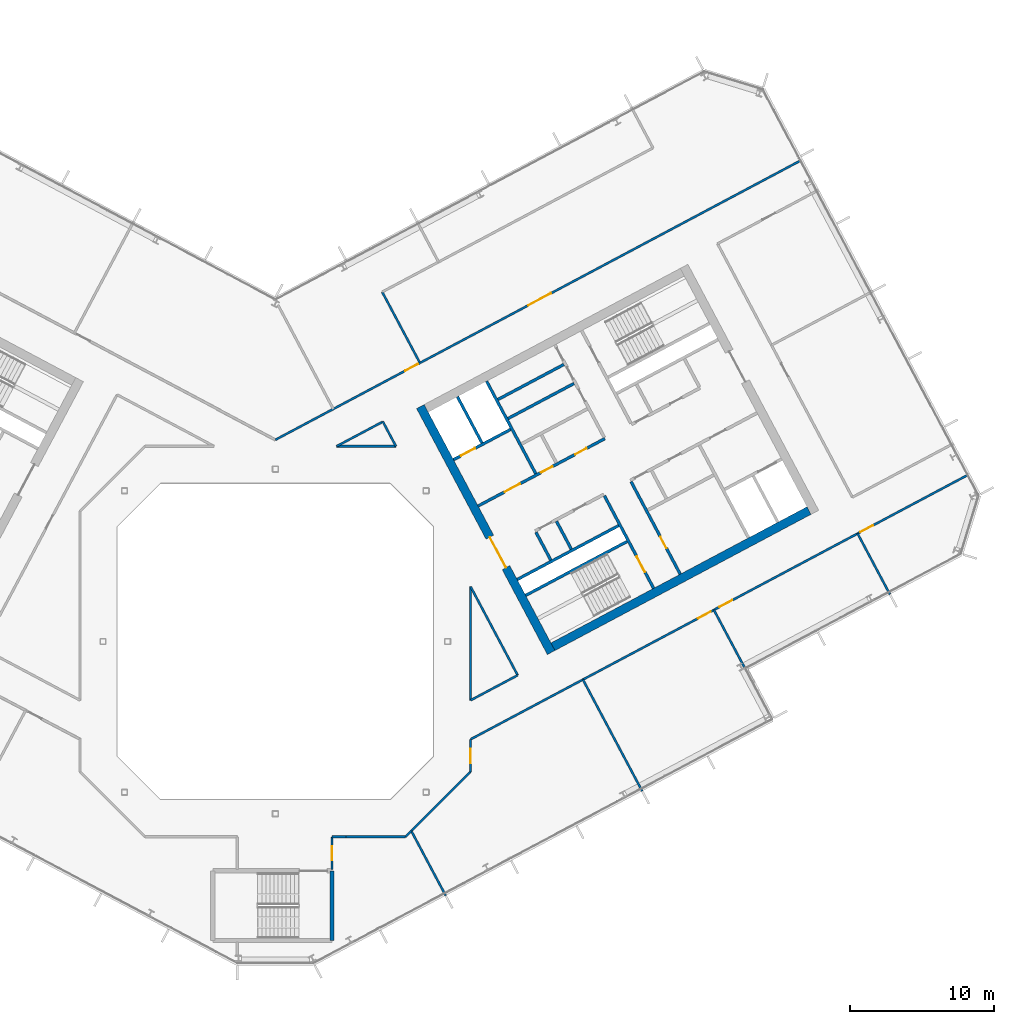
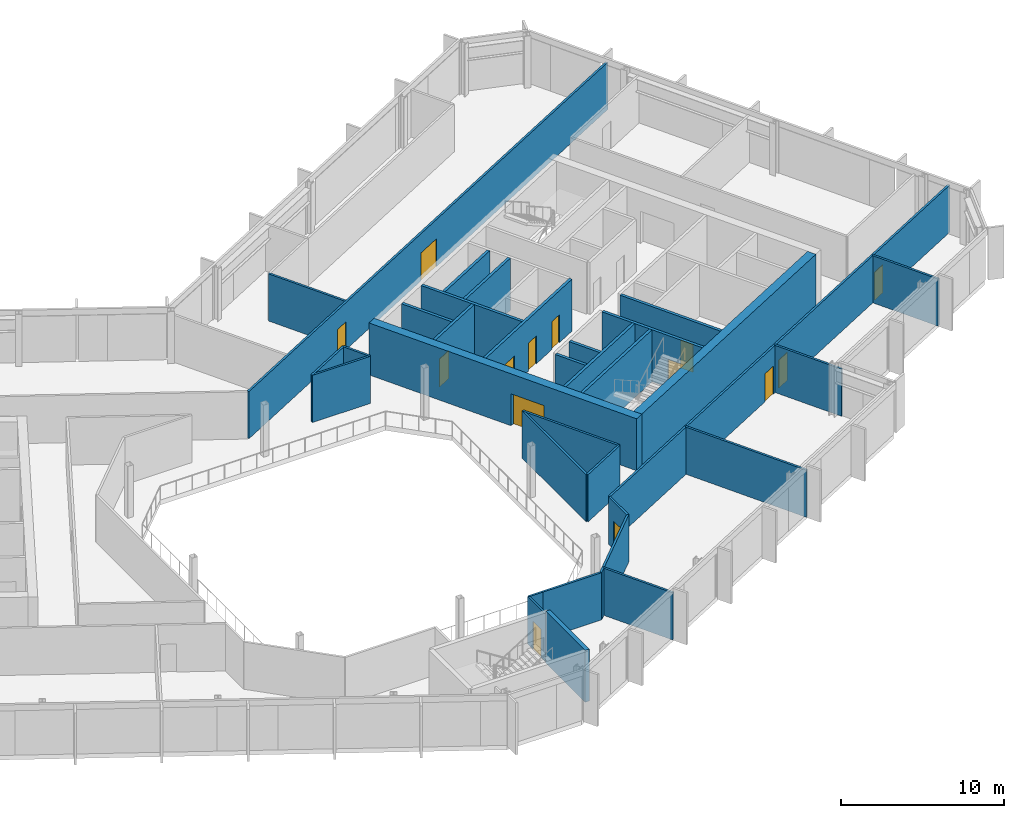
# One storey, part 16 of 27: 34 walls, 14 doors, 14 openings.
"""IFC4 building model written with IfcOpenShell, lengths in metres."""

import ifcopenshell
import ifcopenshell.guid

model = None  # the IFC model being written
_history = None  # IfcOwnerHistory: only IFC2X3 demands one
_inside = {}  # id of a spatial element -> (the spatial element, [elements in it])
_under = {}  # id of a project, library or spatial element -> (it, [spatial elements below it])
_declared = {}  # id of a project -> (the project, [libraries it declares])
_typed = {}  # id of a type object -> (the type object, [elements of that type])
_made_of = {}  # id of a material, layer set ... -> (it, [elements and type objects made of it])


def new_model(schema):
    """Start an empty IFC model of exactly this schema.

    Asked for "IFC4X3", IfcOpenShell would pick the latest addendum, in which some entities
    have other attributes; the version numbers below select the first issue.
    IFC2X3 requires an IfcOwnerHistory on every rooted entity: one is made here for all.
    """
    global model, _history
    if schema == "IFC4X3":
        model = ifcopenshell.file(schema_version=(4, 3, 0, 0))
    else:
        model = ifcopenshell.file(schema=schema)
    _inside.clear()
    _under.clear()
    _declared.clear()
    _typed.clear()
    _made_of.clear()
    _history = None
    if model.schema == "IFC2X3":
        org = make("IfcOrganization", Name="unknown")
        user = make(
            "IfcPersonAndOrganization",
            ThePerson=make("IfcPerson", FamilyName="unknown"),
            TheOrganization=org,
        )
        app = make(
            "IfcApplication",
            ApplicationDeveloper=org,
            Version="unknown",
            ApplicationFullName="unknown",
            ApplicationIdentifier="unknown",
        )
        _history = make(
            "IfcOwnerHistory",
            OwningUser=user,
            OwningApplication=app,
            ChangeAction="ADDED",
            CreationDate=0,
        )
    return model


def make(cls, **values):
    """One entity of the class cls with the attributes given. An attribute that is None is left unset."""
    return model.create_entity(
        cls, **{name: value for name, value in values.items() if value is not None}
    )


def rooted(cls, **values):
    """An entity with a GlobalId (a new one), such as an element, a storey or a relation."""
    return make(cls, GlobalId=ifcopenshell.guid.new(), OwnerHistory=_history, **values)


def si_unit(unit_type, name, prefix=None):
    """IfcSIUnit, for example si_unit("LENGTHUNIT", "METRE", prefix="MILLI")."""
    return make("IfcSIUnit", UnitType=unit_type, Prefix=prefix, Name=name)


def assignment(units):
    """IfcUnitAssignment: the units of a project."""
    return None if units is None else make("IfcUnitAssignment", Units=units)


def point(xyz):
    """IfcCartesianPoint."""
    return None if xyz is None else make("IfcCartesianPoint", Coordinates=xyz)


def direction(xyz):
    """IfcDirection."""
    return None if xyz is None else make("IfcDirection", DirectionRatios=xyz)


def frame(location, z_axis=None, x_axis=None):
    """IfcAxis2Placement3D, a coordinate frame: its origin and axes. An axis left out is left unset."""
    return make(
        "IfcAxis2Placement3D",
        Location=point(location),
        Axis=direction(z_axis),
        RefDirection=direction(x_axis),
    )


def frame_2d(location, x_axis=None):
    """IfcAxis2Placement2D, a coordinate frame in the plane: its origin and x axis."""
    return make(
        "IfcAxis2Placement2D", Location=point(location), RefDirection=direction(x_axis)
    )


def origin():
    """The frame at (0, 0, 0) with its axes left unset."""
    return frame((0.0, 0.0, 0.0))


def place(relative_to, where):
    """IfcLocalPlacement: puts the frame where relative to a parent placement (None: the world)."""
    return make(
        "IfcLocalPlacement", PlacementRelTo=relative_to, RelativePlacement=where
    )


def context(
    kind, dimensions, precision=None, world=None, true_north=None, identifier=None
):
    """IfcGeometricRepresentationContext, for example the 3D "Model" context."""
    return make(
        "IfcGeometricRepresentationContext",
        ContextIdentifier=identifier,
        ContextType=kind,
        CoordinateSpaceDimension=dimensions,
        Precision=precision,
        WorldCoordinateSystem=world,
        TrueNorth=true_north,
    )


def subcontext(parent, identifier, kind, view, scale=None):
    """IfcGeometricRepresentationSubContext, for example "Body" below "Model"."""
    return make(
        "IfcGeometricRepresentationSubContext",
        ContextIdentifier=identifier,
        ContextType=kind,
        ParentContext=parent,
        TargetScale=scale,
        TargetView=view,
    )


def project(units=None, contexts=None):
    """IfcProject with its units and contexts."""
    return rooted(
        "IfcProject",
        Name="project",
        RepresentationContexts=contexts,
        UnitsInContext=assignment(units),
    )


def spatial(cls, under=None, at=None, **own):
    """A site, building, storey or space (cls), placed at a placement, below another one or the project."""
    s = rooted(cls, ObjectPlacement=at, **own)
    if under is not None:
        _under.setdefault(under.id(), (under, []))[1].append(s)
    return s


def profile(cls, at=None, kind="AREA", **sizes):
    """A parametric profile (cls). Its sizes go by their IFC names, for example OverallWidth=200.0."""
    return make(cls, ProfileType=kind, Position=at, **sizes)


def rectangle(**sizes):
    """IfcRectangleProfileDef."""
    return profile("IfcRectangleProfileDef", **sizes)


def extrude(swept, where, along, depth):
    """IfcExtrudedAreaSolid: the profile swept, set in the frame where, extruded along a direction by depth."""
    return make(
        "IfcExtrudedAreaSolid",
        SweptArea=swept,
        Position=where,
        ExtrudedDirection=direction(along),
        Depth=depth,
    )


def shape(context_of_items, identifier, shape_type, items):
    """IfcShapeRepresentation: the items that make up one representation, for example the "Body"."""
    return make(
        "IfcShapeRepresentation",
        ContextOfItems=context_of_items,
        RepresentationIdentifier=identifier,
        RepresentationType=shape_type,
        Items=items,
    )


def material(Name=None, Category=None):
    """IfcMaterial."""
    return make("IfcMaterial", Name=Name, Category=Category)


def layer(
    of_material, thickness, ventilated=None, Name=None, Category=None, Priority=None
):
    """IfcMaterialLayer: one layer of a wall or slab, of a material (None: an air gap)."""
    return make(
        "IfcMaterialLayer",
        Material=of_material,
        LayerThickness=thickness,
        IsVentilated=ventilated,
        Name=Name,
        Category=Category,
        Priority=Priority,
    )


def layer_set(layers, Name=None):
    """IfcMaterialLayerSet."""
    return make("IfcMaterialLayerSet", MaterialLayers=layers, LayerSetName=Name)


def made_of(thing, what):
    """Note that an element or type object is made of a material, layer set ...; save() writes the relation."""
    if what is not None:
        _made_of.setdefault(what.id(), (what, []))[1].append(thing)
    return thing


def type_object(cls, material=None, **own):
    """A type object (cls), such as IfcWallType, which elements share."""
    return made_of(rooted(cls, **own), material)


def element(
    cls,
    number,
    at=None,
    inside=None,
    cuts=None,
    type_object=None,
    material=None,
    context=None,
    identifier="Body",
    shape_type=None,
    held_by="IfcProductDefinitionShape",
    body=None,
    shapes=None,
    **own,
):
    """One element of the class cls, such as IfcWall. Its Tag is "e" and its number.

    at: its placement. inside: the storey or other place that contains it. cuts: it is an
    opening in that element (IfcRelVoidsElement). A single representation is given by context,
    identifier, shape_type and body (its items); several are given by shapes. held_by: the class
    of the entity that holds the representations. save() writes the other relations.
    """
    e = rooted(cls, Tag="e%d" % number, ObjectPlacement=at, **own)
    if body is not None:
        shapes = [shape(context, identifier, shape_type, body)]
    if shapes is not None:
        e.Representation = make(held_by, Representations=shapes)
    if inside is not None:
        _inside.setdefault(inside.id(), (inside, []))[1].append(e)
    if cuts is not None:
        rooted(
            "IfcRelVoidsElement", RelatingBuildingElement=cuts, RelatedOpeningElement=e
        )
    if type_object is not None:
        _typed.setdefault(type_object.id(), (type_object, []))[1].append(e)
    return made_of(e, material)


def fill(opening, filler):
    """IfcRelFillsElement: the door or window that sits in an opening."""
    return rooted(
        "IfcRelFillsElement",
        RelatingOpeningElement=opening,
        RelatedBuildingElement=filler,
    )


def aggregate(whole, parts):
    """IfcRelAggregates: a whole, such as a stair, and the parts it consists of."""
    return rooted("IfcRelAggregates", RelatingObject=whole, RelatedObjects=parts)


def save(model, path):
    """Write the relations noted so far, then the file.

    IfcRelAggregates (storeys below a building ...), IfcRelContainedInSpatialStructure (elements
    in a storey), IfcRelDefinesByType, IfcRelAssociatesMaterial and IfcRelDeclares: one each for
    every whole, place, type object, material and project.
    """
    for whole, parts in _under.values():
        aggregate(whole, parts)
    for where, things in _inside.values():
        rooted(
            "IfcRelContainedInSpatialStructure",
            RelatedElements=things,
            RelatingStructure=where,
        )
    for kind, things in _typed.values():
        rooted("IfcRelDefinesByType", RelatedObjects=things, RelatingType=kind)
    for what, things in _made_of.values():
        rooted("IfcRelAssociatesMaterial", RelatedObjects=things, RelatingMaterial=what)
    for by, libraries in _declared.values():
        rooted("IfcRelDeclares", RelatingContext=by, RelatedDefinitions=libraries)
    model.write(path)


model = new_model("IFC4")

# Units and contexts
model_context = context("Model", 3, precision=1e-05, world=origin(), true_north=direction((0.0, 1.0)))
body_context = subcontext(model_context, "Body", "Model", "MODEL_VIEW")
ifc_project = project(units=[si_unit("LENGTHUNIT", "METRE"), si_unit("AREAUNIT", "SQUARE_METRE"), si_unit("VOLUMEUNIT", "CUBIC_METRE"), si_unit("PLANEANGLEUNIT", "RADIAN"), si_unit("MASSUNIT", "GRAM", prefix="KILO")], contexts=[model_context])

# Site, building, storey
site_placement = place(None, origin())
site = spatial("IfcSite", under=ifc_project, at=site_placement, CompositionType="ELEMENT")
building_placement = place(site_placement, origin())
building = spatial("IfcBuilding", under=site, at=building_placement, Name="Cormorant Relay Tower", CompositionType="ELEMENT")
storey_placement = place(building_placement, frame((0.0, 0.0, 240.300048828125)))
storey = spatial("IfcBuildingStorey", under=building, at=storey_placement, Name="L53", CompositionType="ELEMENT", Elevation=240.300048828125)

# Walls
ifc_material_1 = material(Name="Concrete 40 MPa", Category="concrete")
ifc_layer_1 = layer(ifc_material_1, 0.199951171875)
ifc_layer_set_1 = layer_set([ifc_layer_1], Name="Core internal wall 200")
wall_type_1 = type_object("IfcWallType", Name="Core internal wall 200", PredefinedType="SOLIDWALL", material=ifc_layer_set_1)
wall_1_placement = place(storey_placement, frame((20.614013671875, 6.430419921875, 0.0), z_axis=(0.0, 0.0, 1.0), x_axis=(-0.4694473164, 0.882960484464, 0.0)))
element("IfcWall", 1, at=wall_1_placement, inside=storey, type_object=wall_type_1, Name="L53 core B shaft and room wall", PredefinedType="SOLIDWALL", context=body_context, shape_type="SweptSolid", body=[
    extrude(rectangle(XDim=2.199951171875, YDim=0.199951171875, at=frame_2d((1.10009765625, 0.0))), origin(), (0.0, 0.0, 1.0), 3.89990234375),
])
for number, where, z_axis, x_axis, name in (
    (2, (16.2080078125, 15.526611328125, 0.0), (0.0, 0.0, 1.0), (0.882953967957, 0.469459572775, 0.0), "L53 core B shaft and room wall"),
    (3, (15.503662109375, 16.85107421875, 0.0), (0.0, 0.0, 1.0), (0.882953967957, 0.469459572775, 0.0), "L53 core B shaft and room wall"),
):
    element("IfcWall", number, at=place(storey_placement, frame(where, z_axis=z_axis, x_axis=x_axis)), inside=storey, type_object=wall_type_1, Name=name, PredefinedType="SOLIDWALL", context=body_context, shape_type="SweptSolid", body=[
        extrude(rectangle(XDim=5.199951171875, YDim=0.199951171875, at=frame_2d((2.60009765625, 0.0))), origin(), (0.0, 0.0, 1.0), 3.89990234375),
    ])
ifc_material_2 = material(Name="Concrete 50 MPa", Category="concrete")
ifc_layer_2 = layer(ifc_material_2, 0.199951171875)
ifc_layer_set_2 = layer_set([ifc_layer_2], Name="Core shaft wall 200")
wall_type_2 = type_object("IfcWallType", Name="Core shaft wall 200", PredefinedType="SHEAR", material=ifc_layer_set_2)
wall_2_placement = place(storey_placement, frame((14.39404296875, 13.825927734375, 0.0), z_axis=(0.0, 0.0, 1.0), x_axis=(-0.469494272526, 0.882935517501, 0.0)))
element("IfcWall", 4, at=wall_2_placement, inside=storey, type_object=wall_type_2, Name="L53 core B shaft wall", PredefinedType="SHEAR", context=body_context, shape_type="SweptSolid", body=[
    extrude(rectangle(XDim=3.64990234375, YDim=0.199951171875, at=frame_2d((1.824951171875, 0.0))), origin(), (0.0, 0.0, 1.0), 3.89990234375),
])
wall_3_placement = place(storey_placement, frame((19.18359375, 5.669921875, 0.0), z_axis=(0.0, 0.0, 1.0), x_axis=(-0.4694473164, 0.882960484464, 0.0)))
element("IfcWall", 5, at=wall_3_placement, inside=storey, type_object=wall_type_2, Name="L53 core B shaft wall", PredefinedType="SHEAR", context=body_context, shape_type="SweptSolid", body=[
    extrude(rectangle(XDim=2.199951171875, YDim=0.199951171875, at=frame_2d((1.10009765625, 0.0))), origin(), (0.0, 0.0, 1.0), 3.89990234375),
])
wall_4_placement = place(storey_placement, frame((18.138427734375, 11.682861328125, 0.0), z_axis=(0.0, 0.0, 1.0), x_axis=(-0.469480409012, 0.88294288918, 0.0)))
element("IfcWall", 6, at=wall_4_placement, inside=storey, type_object=wall_type_2, Name="L53 core B shaft wall", PredefinedType="SHEAR", context=body_context, shape_type="SweptSolid", body=[
    extrude(rectangle(XDim=7.300048828125, YDim=0.199951171875, at=frame_2d((3.64990234375, 0.0))), origin(), (0.0, 0.0, 1.0), 3.89990234375),
])

# Wall, opening, door
wall_5_placement = place(storey_placement, frame((26.345947265625, 3.701904296875, 0.0), z_axis=(0.0, 0.0, 1.0), x_axis=(-0.469480409012, 0.88294288918, 0.0)))
wall_5 = element("IfcWall", 7, at=wall_5_placement, inside=storey, type_object=wall_type_2, Name="L53 core B shaft wall", PredefinedType="SHEAR", context=body_context, shape_type="SweptSolid", body=[
    extrude(rectangle(XDim=7.300048828125, YDim=0.199951171875, at=frame_2d((3.64990234375, 0.0))), origin(), (0.0, 0.0, 1.0), 3.89990234375),
])
opening_1_placement = place(wall_5_placement, frame((1.300048828125, 0.0, 0.0)))
opening_1 = element("IfcOpeningElement", 8, at=opening_1_placement, cuts=wall_5, Name="Opening CDB-040", PredefinedType="OPENING", context=body_context, shape_type="SweptSolid", body=[
    extrude(rectangle(XDim=1.199951171875, YDim=2.10009765625, at=frame_2d((0.60009765625, 1.050048828125))), frame((0.0, 0.10986328125, 0.0), z_axis=(0.0, -1.0, 0.0), x_axis=(1.0, 0.0, 0.0)), (0.0, 0.0, 1.0), 0.219970703125),
])
ifc_material_3 = material(Name="Steel fire door", Category="steel")
door_type_1 = type_object("IfcDoorType", Name="Core stair door 1200x2100", OperationType="SINGLE_SWING_LEFT", PredefinedType="DOOR", material=ifc_material_3)
door_1_placement = place(opening_1_placement, origin())
door_1 = element("IfcDoor", 9, at=door_1_placement, inside=storey, type_object=door_type_1, Name="Core stair door 1200x2100", OperationType="SINGLE_SWING_RIGHT", OverallHeight=2.10009765625, OverallWidth=1.199951171875, PredefinedType="DOOR", context=body_context, shape_type="SweptSolid", body=[
    extrude(rectangle(XDim=1.199951171875, YDim=2.10009765625, at=frame_2d((0.60009765625, 1.050048828125))), frame((0.0, 0.02490234375, 0.0), z_axis=(0.0, -1.0, 0.0), x_axis=(1.0, 0.0, 0.0)), (0.0, 0.0, 1.0), 0.050048828125),
])
fill(opening_1, door_1)

wall_6_placement = place(storey_placement, frame((28.199951171875, 4.687744140625, 0.0), z_axis=(0.0, 0.0, 1.0), x_axis=(-0.469454336211, 0.882956752176, 0.0)))
wall_6 = element("IfcWall", 10, at=wall_6_placement, inside=storey, type_object=wall_type_2, Name="L53 core B shaft wall", PredefinedType="SHEAR", context=body_context, shape_type="SweptSolid", body=[
    extrude(rectangle(XDim=7.300048828125, YDim=0.199951171875, at=frame_2d((3.64990234375, 0.0))), origin(), (0.0, 0.0, 1.0), 3.89990234375),
])
opening_2_placement = place(wall_6_placement, frame((2.050048828125, 0.0, 0.0)))
opening_2 = element("IfcOpeningElement", 11, at=opening_2_placement, cuts=wall_6, Name="Opening CDD-302", PredefinedType="OPENING", context=body_context, shape_type="SweptSolid", body=[
    extrude(rectangle(XDim=0.89990234375, YDim=2.10009765625, at=frame_2d((0.449951171875, 1.050048828125))), frame((0.0, 0.10986328125, 0.0), z_axis=(0.0, -1.0, 0.0), x_axis=(1.0, 0.0, 0.0)), (0.0, 0.0, 1.0), 0.219970703125),
])
ifc_material_4 = material(Name="Steel fire door", Category="steel")
door_type_2 = type_object("IfcDoorType", Name="Core room door 900x2100", OperationType="SINGLE_SWING_LEFT", PredefinedType="DOOR", material=ifc_material_4)
door_2_placement = place(opening_2_placement, origin())
door_2 = element("IfcDoor", 12, at=door_2_placement, inside=storey, type_object=door_type_2, Name="Core room door 900x2100", OperationType="SINGLE_SWING_RIGHT", OverallHeight=2.10009765625, OverallWidth=0.89990234375, PredefinedType="DOOR", context=body_context, shape_type="SweptSolid", body=[
    extrude(rectangle(XDim=0.89990234375, YDim=2.10009765625, at=frame_2d((0.449951171875, 1.050048828125))), frame((0.0, 0.02490234375, 0.0), z_axis=(0.0, -1.0, 0.0), x_axis=(1.0, 0.0, 0.0)), (0.0, 0.0, 1.0), 0.050048828125),
])
fill(opening_2, door_2)

# Walls
for number, where, z_axis, x_axis, name in (
    (13, (17.43359375, 3.210205078125, 0.0), (0.0, 0.0, 1.0), (0.882940221191, 0.469485426614, 0.0), "L53 core B shaft wall"),
    (14, (16.8466796875, 4.31396484375, 0.0), (0.0, 0.0, 1.0), (0.882940221191, 0.469485426614, 0.0), "L53 core B shaft wall"),
):
    element("IfcWall", number, at=place(storey_placement, frame(where, z_axis=z_axis, x_axis=x_axis)), inside=storey, type_object=wall_type_2, Name=name, PredefinedType="SHEAR", context=body_context, shape_type="SweptSolid", body=[
        extrude(rectangle(XDim=8.0, YDim=0.199951171875, at=frame_2d((4.0, 0.0))), origin(), (0.0, 0.0, 1.0), 3.89990234375),
    ])

# Wall, openings, doors
wall_7_placement = place(storey_placement, frame((14.123779296875, 9.43505859375, 0.0), z_axis=(0.0, 0.0, 1.0), x_axis=(0.882940221191, 0.469485426614, 0.0)))
wall_7 = element("IfcWall", 15, at=wall_7_placement, inside=storey, type_object=wall_type_2, Name="L53 core B shaft wall", PredefinedType="SHEAR", context=body_context, shape_type="SweptSolid", body=[
    extrude(rectangle(XDim=10.0, YDim=0.199951171875, at=frame_2d((5.0, 0.0))), origin(), (0.0, 0.0, 1.0), 3.89990234375),
])
opening_3_placement = place(wall_7_placement, frame((2.10009765625, 0.0, 0.0)))
opening_3 = element("IfcOpeningElement", 16, at=opening_3_placement, cuts=wall_7, Name="Opening CDC-037", PredefinedType="OPENING", context=body_context, shape_type="SweptSolid", body=[
    extrude(rectangle(XDim=1.199951171875, YDim=2.10009765625, at=frame_2d((0.60009765625, 1.050048828125))), frame((0.0, 0.10986328125, 0.0), z_axis=(0.0, -1.0, 0.0), x_axis=(1.0, 0.0, 0.0)), (0.0, 0.0, 1.0), 0.219970703125),
])
opening_4_placement = place(wall_7_placement, frame((4.9599609375, 0.0, 0.0)))
opening_4 = element("IfcOpeningElement", 17, at=opening_4_placement, cuts=wall_7, Name="Opening CDD-293", PredefinedType="OPENING", context=body_context, shape_type="SweptSolid", body=[
    extrude(rectangle(XDim=0.89990234375, YDim=2.10009765625, at=frame_2d((0.449951171875, 1.050048828125))), frame((0.0, 0.10986328125, 0.0), z_axis=(0.0, -1.0, 0.0), x_axis=(1.0, 0.0, 0.0)), (0.0, 0.0, 1.0), 0.219970703125),
])
opening_5_placement = place(wall_7_placement, frame((7.659912109375, 0.0, 0.0)))
opening_5 = element("IfcOpeningElement", 18, at=opening_5_placement, cuts=wall_7, Name="Opening CDD-272", PredefinedType="OPENING", context=body_context, shape_type="SweptSolid", body=[
    extrude(rectangle(XDim=0.89990234375, YDim=2.10009765625, at=frame_2d((0.449951171875, 1.050048828125))), frame((0.0, 0.10986328125, 0.0), z_axis=(0.0, -1.0, 0.0), x_axis=(1.0, 0.0, 0.0)), (0.0, 0.0, 1.0), 0.219970703125),
])
ifc_material_5 = material(Name="Steel fire door", Category="steel")
door_type_3 = type_object("IfcDoorType", Name="Core lobby door 1200x2100", OperationType="SINGLE_SWING_LEFT", PredefinedType="DOOR", material=ifc_material_5)
door_3_placement = place(opening_3_placement, origin())
door_3 = element("IfcDoor", 19, at=door_3_placement, inside=storey, type_object=door_type_3, Name="Core lobby door 1200x2100", OperationType="SINGLE_SWING_RIGHT", OverallHeight=2.10009765625, OverallWidth=1.199951171875, PredefinedType="DOOR", context=body_context, shape_type="SweptSolid", body=[
    extrude(rectangle(XDim=1.199951171875, YDim=2.10009765625, at=frame_2d((0.60009765625, 1.050048828125))), frame((0.0, 0.02490234375, 0.0), z_axis=(0.0, -1.0, 0.0), x_axis=(1.0, 0.0, 0.0)), (0.0, 0.0, 1.0), 0.050048828125),
])
fill(opening_3, door_3)
door_4_placement = place(opening_4_placement, origin())
door_4 = element("IfcDoor", 20, at=door_4_placement, inside=storey, type_object=door_type_2, Name="Core room door 900x2100", OperationType="SINGLE_SWING_LEFT", OverallHeight=2.10009765625, OverallWidth=0.89990234375, PredefinedType="DOOR", context=body_context, shape_type="SweptSolid", body=[
    extrude(rectangle(XDim=0.89990234375, YDim=2.10009765625, at=frame_2d((0.449951171875, 1.050048828125))), frame((0.0, 0.02490234375, 0.0), z_axis=(0.0, -1.0, 0.0), x_axis=(1.0, 0.0, 0.0)), (0.0, 0.0, 1.0), 0.050048828125),
])
fill(opening_4, door_4)
door_5_placement = place(opening_5_placement, origin())
door_5 = element("IfcDoor", 21, at=door_5_placement, inside=storey, type_object=door_type_2, Name="Core room door 900x2100", OperationType="SINGLE_SWING_LEFT", OverallHeight=2.10009765625, OverallWidth=0.89990234375, PredefinedType="DOOR", context=body_context, shape_type="SweptSolid", body=[
    extrude(rectangle(XDim=0.89990234375, YDim=2.10009765625, at=frame_2d((0.449951171875, 1.050048828125))), frame((0.0, 0.02490234375, 0.0), z_axis=(0.0, -1.0, 0.0), x_axis=(1.0, 0.0, 0.0)), (0.0, 0.0, 1.0), 0.050048828125),
])
fill(opening_5, door_5)

# Wall, opening, door
wall_8_placement = place(storey_placement, frame((12.41015625, 12.657958984375, 0.0), z_axis=(0.0, 0.0, 1.0), x_axis=(0.8829484765, 0.469469900894, 0.0)))
wall_8 = element("IfcWall", 22, at=wall_8_placement, inside=storey, type_object=wall_type_2, Name="L53 core B shaft wall", PredefinedType="SHEAR", context=body_context, shape_type="SweptSolid", body=[
    extrude(rectangle(XDim=4.499755859375, YDim=0.199951171875, at=frame_2d((2.25, 0.0))), origin(), (0.0, 0.0, 1.0), 3.89990234375),
])
opening_6_placement = place(wall_8_placement, frame((0.60009765625, 0.0, 0.0)))
opening_6 = element("IfcOpeningElement", 23, at=opening_6_placement, cuts=wall_8, Name="Opening LD1-064", PredefinedType="OPENING", context=body_context, shape_type="SweptSolid", body=[
    extrude(rectangle(XDim=1.10009765625, YDim=2.10009765625, at=frame_2d((0.550048828125, 1.050048828125))), frame((0.0, 0.10986328125, 0.0), z_axis=(0.0, -1.0, 0.0), x_axis=(1.0, 0.0, 0.0)), (0.0, 0.0, 1.0), 0.219970703125),
])
ifc_material_6 = material(Name="Stainless steel 316", Category="steel")
door_type_4 = type_object("IfcDoorType", Name="Lift landing door 1100x2100", OperationType="DOUBLE_DOOR_SLIDING", PredefinedType="DOOR", material=ifc_material_6)
door_6_placement = place(opening_6_placement, origin())
door_6 = element("IfcDoor", 24, at=door_6_placement, inside=storey, type_object=door_type_4, Name="FF2 landing door", OperationType="DOUBLE_DOOR_SLIDING", OverallHeight=2.10009765625, OverallWidth=1.10009765625, PredefinedType="DOOR", context=body_context, shape_type="SweptSolid", body=[
    extrude(rectangle(XDim=1.10009765625, YDim=2.10009765625, at=frame_2d((0.550048828125, 1.050048828125))), frame((0.0, 0.02490234375, 0.0), z_axis=(0.0, -1.0, 0.0), x_axis=(1.0, 0.0, 0.0)), (0.0, 0.0, 1.0), 0.050048828125),
])
fill(opening_6, door_6)

ifc_material_7 = material(Name="Concrete 50 MPa", Category="concrete")
ifc_layer_3 = layer(ifc_material_7, 0.60009765625)
ifc_layer_set_3 = layer_set([ifc_layer_3], Name="Core wall 600")
wall_type_3 = type_object("IfcWallType", Name="Core wall 600", PredefinedType="SHEAR", material=ifc_layer_set_3)
wall_9_placement = place(storey_placement, frame((19.210693359375, -0.771484375, 0.0), z_axis=(0.0, 0.0, 1.0), x_axis=(-0.469463742137, 0.882951751127, 0.0)))
wall_9 = element("IfcWall", 25, at=wall_9_placement, inside=storey, type_object=wall_type_3, Name="L53 core B wall", PredefinedType="SHEAR", context=body_context, shape_type="SweptSolid", body=[
    extrude(rectangle(XDim=19.400146484375, YDim=0.60009765625, at=frame_2d((9.7001953125, 0.0))), origin(), (0.0, 0.0, 1.0), 3.89990234375),
])
opening_7_placement = place(wall_9_placement, frame((6.699951171875, 0.0, 0.0)))
opening_7 = element("IfcOpeningElement", 26, at=opening_7_placement, cuts=wall_9, Name="Opening CDA-044", PredefinedType="OPENING", context=body_context, shape_type="SweptSolid", body=[
    extrude(rectangle(XDim=2.39990234375, YDim=2.39990234375, at=frame_2d((1.199951171875, 1.199951171875))), frame((0.0, 0.31005859375, 0.0), z_axis=(0.0, -1.0, 0.0), x_axis=(1.0, 0.0, 0.0)), (0.0, 0.0, 1.0), 0.6201171875),
])
ifc_material_8 = material(Name="Steel fire door", Category="steel")
door_type_5 = type_object("IfcDoorType", Name="Core lobby door 2400x2400", OperationType="DOUBLE_DOOR_SINGLE_SWING", PredefinedType="DOOR", material=ifc_material_8)
door_7_placement = place(opening_7_placement, origin())
door_7 = element("IfcDoor", 27, at=door_7_placement, inside=storey, type_object=door_type_5, Name="Core lobby door 2400x2400", OperationType="DOUBLE_DOOR_SINGLE_SWING", OverallHeight=2.39990234375, OverallWidth=2.39990234375, PredefinedType="DOOR", context=body_context, shape_type="SweptSolid", body=[
    extrude(rectangle(XDim=2.39990234375, YDim=2.39990234375, at=frame_2d((1.199951171875, 1.199951171875))), frame((0.0, 0.02490234375, 0.0), z_axis=(0.0, -1.0, 0.0), x_axis=(1.0, 0.0, 0.0)), (0.0, 0.0, 1.0), 0.050048828125),
])
fill(opening_7, door_7)

# Wall
wall_10_placement = place(storey_placement, frame((19.3349609375, -0.36572265625, 0.0), z_axis=(0.0, 0.0, 1.0), x_axis=(0.88294509198, 0.469476266226, 0.0)))
element("IfcWall", 28, at=wall_10_placement, inside=storey, type_object=wall_type_3, Name="L53 core B wall", PredefinedType="SHEAR", context=body_context, shape_type="SweptSolid", body=[
    extrude(rectangle(XDim=20.199951171875, YDim=0.60009765625, at=frame_2d((10.10009765625, 0.0))), origin(), (0.0, 0.0, 1.0), 3.89990234375),
])

# Wall, openings, doors
ifc_material_9 = material(Name="Gypsum board fire partition")
ifc_layer_4 = layer(ifc_material_9, 0.14990234375)
ifc_layer_set_4 = layer_set([ifc_layer_4], Name="Corridor partition 150 EI 60")
wall_type_4 = type_object("IfcWallType", Name="Corridor partition 150 EI 60", PredefinedType="PARTITIONING", material=ifc_layer_set_4)
wall_11_placement = place(storey_placement, frame((0.0, 14.0439453125, 0.0), z_axis=(0.0, 0.0, 1.0), x_axis=(0.882962129795, 0.469444221764, 0.0)))
wall_11 = element("IfcWall", 29, at=wall_11_placement, inside=storey, type_object=wall_type_4, Name="wall/L53/part/011", PredefinedType="PARTITIONING", context=body_context, shape_type="SweptSolid", body=[
    extrude(rectangle(XDim=41.606689453125, YDim=0.14990234375, at=frame_2d((20.80322265625, 0.0))), origin(), (0.0, 0.0, 1.0), 3.5400390625),
])
opening_8_placement = place(wall_11_placement, frame((19.949951171875, 0.0, 0.0)))
opening_8 = element("IfcOpeningElement", 30, at=opening_8_placement, cuts=wall_11, Name="Opening DD-023", PredefinedType="OPENING", context=body_context, shape_type="SweptSolid", body=[
    extrude(rectangle(XDim=1.800048828125, YDim=2.10009765625, at=frame_2d((0.89990234375, 1.050048828125))), frame((0.0, 0.0849609375, 0.0), z_axis=(0.0, -1.0, 0.0), x_axis=(1.0, 0.0, 0.0)), (0.0, 0.0, 1.0), 0.169921875),
])
opening_9_placement = place(wall_11_placement, frame((10.25, 0.0, 0.0)))
opening_9 = element("IfcOpeningElement", 31, at=opening_9_placement, cuts=wall_11, Name="Opening DS-118", PredefinedType="OPENING", context=body_context, shape_type="SweptSolid", body=[
    extrude(rectangle(XDim=1.0, YDim=2.10009765625, at=frame_2d((0.5, 1.050048828125))), frame((0.0, 0.0849609375, 0.0), z_axis=(0.0, -1.0, 0.0), x_axis=(1.0, 0.0, 0.0)), (0.0, 0.0, 1.0), 0.169921875),
])
ifc_material_10 = material(Name="Timber door leaf", Category="wood")
door_type_6 = type_object("IfcDoorType", Name="Suite door 1000x2100", OperationType="SINGLE_SWING_LEFT", PredefinedType="DOOR", material=ifc_material_10)
door_8_placement = place(opening_9_placement, origin())
door_8 = element("IfcDoor", 32, at=door_8_placement, inside=storey, type_object=door_type_6, Name="door/L53/014", OperationType="SINGLE_SWING_RIGHT", OverallHeight=2.10009765625, OverallWidth=1.0, PredefinedType="DOOR", context=body_context, shape_type="SweptSolid", body=[
    extrude(rectangle(XDim=1.0, YDim=2.10009765625, at=frame_2d((0.5, 1.050048828125))), frame((0.0, 0.02490234375, 0.0), z_axis=(0.0, -1.0, 0.0), x_axis=(1.0, 0.0, 0.0)), (0.0, 0.0, 1.0), 0.050048828125),
])
fill(opening_9, door_8)
ifc_material_11 = material(Name="Timber door leaf", Category="wood")
door_type_7 = type_object("IfcDoorType", Name="Suite double door 1800x2100", OperationType="DOUBLE_DOOR_SINGLE_SWING", PredefinedType="DOOR", material=ifc_material_11)
door_9_placement = place(opening_8_placement, origin())
door_9 = element("IfcDoor", 33, at=door_9_placement, inside=storey, type_object=door_type_7, Name="door/L53/013", OperationType="DOUBLE_DOOR_SINGLE_SWING", OverallHeight=2.10009765625, OverallWidth=1.800048828125, PredefinedType="DOOR", context=body_context, shape_type="SweptSolid", body=[
    extrude(rectangle(XDim=1.800048828125, YDim=2.10009765625, at=frame_2d((0.89990234375, 1.050048828125))), frame((0.0, 0.02490234375, 0.0), z_axis=(0.0, -1.0, 0.0), x_axis=(1.0, 0.0, 0.0)), (0.0, 0.0, 1.0), 0.050048828125),
])
fill(opening_8, door_9)

# Wall
wall_12_placement = place(storey_placement, frame((4.93798828125, -13.60009765625, 0.0), z_axis=(0.0, 0.0, 1.0), x_axis=(-1.0, 0.0, 0.0)))
element("IfcWall", 34, at=wall_12_placement, inside=storey, type_object=wall_type_4, Name="wall/L53/part/025", PredefinedType="PARTITIONING", context=body_context, shape_type="SweptSolid", body=[
    extrude(rectangle(XDim=0.988037109375, YDim=0.14990234375, at=frame_2d((0.494140625, 0.0))), origin(), (0.0, 0.0, 1.0), 3.5400390625),
])

# Wall, opening, door
wall_13_placement = place(storey_placement, frame((3.949951171875, -13.60009765625, 0.0), z_axis=(0.0, 0.0, 1.0), x_axis=(0.0, -1.0, 0.0)))
wall_13 = element("IfcWall", 35, at=wall_13_placement, inside=storey, type_object=wall_type_4, Name="wall/L53/part/026", PredefinedType="PARTITIONING", context=body_context, shape_type="SweptSolid", body=[
    extrude(rectangle(XDim=2.27490234375, YDim=0.14990234375, at=frame_2d((1.137451171875, 0.0))), origin(), (0.0, 0.0, 1.0), 3.5400390625),
])
opening_10_placement = place(wall_13_placement, frame((0.64990234375, 0.0, 0.0)))
opening_10 = element("IfcOpeningElement", 36, at=opening_10_placement, cuts=wall_13, Name="Opening DS-138", PredefinedType="OPENING", context=body_context, shape_type="SweptSolid", body=[
    extrude(rectangle(XDim=1.0, YDim=2.10009765625, at=frame_2d((0.5, 1.050048828125))), frame((0.0, 0.0849609375, 0.0), z_axis=(0.0, -1.0, 0.0), x_axis=(1.0, 0.0, 0.0)), (0.0, 0.0, 1.0), 0.169921875),
])
door_10_placement = place(opening_10_placement, origin())
door_10 = element("IfcDoor", 37, at=door_10_placement, inside=storey, type_object=door_type_6, Name="door/L53/001", OperationType="SINGLE_SWING_LEFT", OverallHeight=2.10009765625, OverallWidth=1.0, PredefinedType="DOOR", context=body_context, shape_type="SweptSolid", body=[
    extrude(rectangle(XDim=1.0, YDim=2.10009765625, at=frame_2d((0.5, 1.050048828125))), frame((0.0, 0.02490234375, 0.0), z_axis=(0.0, -1.0, 0.0), x_axis=(1.0, 0.0, 0.0)), (0.0, 0.0, 1.0), 0.050048828125),
])
fill(opening_10, door_10)

# Walls
wall_14_placement = place(storey_placement, frame((9.472900390625, -13.2041015625, 0.0), z_axis=(0.0, 0.0, 1.0), x_axis=(-0.707106781187, -0.707106781187, 0.0)))
element("IfcWall", 38, at=wall_14_placement, inside=storey, type_object=wall_type_4, Name="wall/L53/part/027", PredefinedType="PARTITIONING", context=body_context, shape_type="SweptSolid", body=[
    extrude(rectangle(XDim=0.56005859375, YDim=0.14990234375, at=frame_2d((0.280029296875, 0.0))), origin(), (0.0, 0.0, 1.0), 3.5400390625),
])
wall_15_placement = place(storey_placement, frame((9.076904296875, -13.60009765625, 0.0), z_axis=(0.0, 0.0, 1.0), x_axis=(-1.0, 0.0, 0.0)))
element("IfcWall", 39, at=wall_15_placement, inside=storey, type_object=wall_type_4, Name="wall/L53/part/028", PredefinedType="PARTITIONING", context=body_context, shape_type="SweptSolid", body=[
    extrude(rectangle(XDim=4.138916015625, YDim=0.14990234375, at=frame_2d((2.0693359375, 0.0))), origin(), (0.0, 0.0, 1.0), 3.5400390625),
])

# Wall, opening, door
wall_16_placement = place(storey_placement, frame((13.60009765625, -6.827880859375, 0.0), z_axis=(0.0, 0.0, 1.0), x_axis=(0.0, -1.0, 0.0)))
wall_16 = element("IfcWall", 40, at=wall_16_placement, inside=storey, type_object=wall_type_4, Name="wall/L53/part/030", PredefinedType="PARTITIONING", context=body_context, shape_type="SweptSolid", body=[
    extrude(rectangle(XDim=2.2490234375, YDim=0.14990234375, at=frame_2d((1.12451171875, 0.0))), origin(), (0.0, 0.0, 1.0), 3.5400390625),
])
opening_11_placement = place(wall_16_placement, frame((0.64990234375, 0.0, 0.0)))
opening_11 = element("IfcOpeningElement", 41, at=opening_11_placement, cuts=wall_16, Name="Opening DS-165", PredefinedType="OPENING", context=body_context, shape_type="SweptSolid", body=[
    extrude(rectangle(XDim=1.0, YDim=2.10009765625, at=frame_2d((0.5, 1.050048828125))), frame((0.0, 0.0849609375, 0.0), z_axis=(0.0, -1.0, 0.0), x_axis=(1.0, 0.0, 0.0)), (0.0, 0.0, 1.0), 0.169921875),
])
door_11_placement = place(opening_11_placement, origin())
door_11 = element("IfcDoor", 42, at=door_11_placement, inside=storey, type_object=door_type_6, Name="door/L53/002", OperationType="SINGLE_SWING_LEFT", OverallHeight=2.10009765625, OverallWidth=1.0, PredefinedType="DOOR", context=body_context, shape_type="SweptSolid", body=[
    extrude(rectangle(XDim=1.0, YDim=2.10009765625, at=frame_2d((0.5, 1.050048828125))), frame((0.0, 0.02490234375, 0.0), z_axis=(0.0, -1.0, 0.0), x_axis=(1.0, 0.0, 0.0)), (0.0, 0.0, 1.0), 0.050048828125),
])
fill(opening_11, door_11)

# Wall
wall_17_placement = place(storey_placement, frame((13.60009765625, -9.076904296875, 0.0), z_axis=(0.0, 0.0, 1.0), x_axis=(-0.707106781187, -0.707106781187, 0.0)))
element("IfcWall", 43, at=wall_17_placement, inside=storey, type_object=wall_type_4, Name="wall/L53/part/031", PredefinedType="PARTITIONING", context=body_context, shape_type="SweptSolid", body=[
    extrude(rectangle(XDim=5.882080078125, YDim=0.14990234375, at=frame_2d((2.94091796875, 0.0))), origin(), (0.0, 0.0, 1.0), 3.5400390625),
])

# Wall, openings, doors
wall_18_placement = place(storey_placement, frame((48.3798828125, 11.678955078125, 0.0), z_axis=(0.0, 0.0, 1.0), x_axis=(-0.882955973974, -0.469455799862, 0.0)))
wall_18 = element("IfcWall", 44, at=wall_18_placement, inside=storey, type_object=wall_type_4, Name="wall/L53/part/038", PredefinedType="PARTITIONING", context=body_context, shape_type="SweptSolid", body=[
    extrude(rectangle(XDim=39.39013671875, YDim=0.14990234375, at=frame_2d((19.695068359375, 0.0))), origin(), (0.0, 0.0, 1.0), 3.5400390625),
])
opening_12_placement = place(wall_18_placement, frame((20.449951171875, 0.0, 0.0)))
opening_12 = element("IfcOpeningElement", 45, at=opening_12_placement, cuts=wall_18, Name="Opening DS-166", PredefinedType="OPENING", context=body_context, shape_type="SweptSolid", body=[
    extrude(rectangle(XDim=1.0, YDim=2.10009765625, at=frame_2d((0.5, 1.050048828125))), frame((0.0, 0.0849609375, 0.0), z_axis=(0.0, -1.0, 0.0), x_axis=(1.0, 0.0, 0.0)), (0.0, 0.0, 1.0), 0.169921875),
])
opening_13_placement = place(wall_18_placement, frame((18.75, 0.0, 0.0)))
opening_13 = element("IfcOpeningElement", 46, at=opening_13_placement, cuts=wall_18, Name="Opening DS-167", PredefinedType="OPENING", context=body_context, shape_type="SweptSolid", body=[
    extrude(rectangle(XDim=1.0, YDim=2.10009765625, at=frame_2d((0.5, 1.050048828125))), frame((0.0, 0.0849609375, 0.0), z_axis=(0.0, -1.0, 0.0), x_axis=(1.0, 0.0, 0.0)), (0.0, 0.0, 1.0), 0.169921875),
])
opening_14_placement = place(wall_18_placement, frame((7.64990234375, 0.0, 0.0)))
opening_14 = element("IfcOpeningElement", 47, at=opening_14_placement, cuts=wall_18, Name="Opening DS-168", PredefinedType="OPENING", context=body_context, shape_type="SweptSolid", body=[
    extrude(rectangle(XDim=1.0, YDim=2.10009765625, at=frame_2d((0.5, 1.050048828125))), frame((0.0, 0.0849609375, 0.0), z_axis=(0.0, -1.0, 0.0), x_axis=(1.0, 0.0, 0.0)), (0.0, 0.0, 1.0), 0.169921875),
])
door_12_placement = place(opening_12_placement, origin())
door_12 = element("IfcDoor", 48, at=door_12_placement, inside=storey, type_object=door_type_6, Name="door/L53/003", OperationType="SINGLE_SWING_LEFT", OverallHeight=2.10009765625, OverallWidth=1.0, PredefinedType="DOOR", context=body_context, shape_type="SweptSolid", body=[
    extrude(rectangle(XDim=1.0, YDim=2.10009765625, at=frame_2d((0.5, 1.050048828125))), frame((0.0, 0.02490234375, 0.0), z_axis=(0.0, -1.0, 0.0), x_axis=(1.0, 0.0, 0.0)), (0.0, 0.0, 1.0), 0.050048828125),
])
fill(opening_12, door_12)
door_13_placement = place(opening_13_placement, origin())
door_13 = element("IfcDoor", 49, at=door_13_placement, inside=storey, type_object=door_type_6, Name="door/L53/004", OperationType="SINGLE_SWING_RIGHT", OverallHeight=2.10009765625, OverallWidth=1.0, PredefinedType="DOOR", context=body_context, shape_type="SweptSolid", body=[
    extrude(rectangle(XDim=1.0, YDim=2.10009765625, at=frame_2d((0.5, 1.050048828125))), frame((0.0, 0.02490234375, 0.0), z_axis=(0.0, -1.0, 0.0), x_axis=(1.0, 0.0, 0.0)), (0.0, 0.0, 1.0), 0.050048828125),
])
fill(opening_13, door_13)
door_14_placement = place(opening_14_placement, origin())
door_14 = element("IfcDoor", 50, at=door_14_placement, inside=storey, type_object=door_type_6, Name="door/L53/005", OperationType="SINGLE_SWING_RIGHT", OverallHeight=2.10009765625, OverallWidth=1.0, PredefinedType="DOOR", context=body_context, shape_type="SweptSolid", body=[
    extrude(rectangle(XDim=1.0, YDim=2.10009765625, at=frame_2d((0.5, 1.050048828125))), frame((0.0, 0.02490234375, 0.0), z_axis=(0.0, -1.0, 0.0), x_axis=(1.0, 0.0, 0.0)), (0.0, 0.0, 1.0), 0.050048828125),
])
fill(opening_14, door_14)

# Walls
wall_19_placement = place(storey_placement, frame((4.277099609375, 13.60009765625, 0.0), z_axis=(0.0, 0.0, 1.0), x_axis=(1.0, 0.0, 0.0)))
element("IfcWall", 51, at=wall_19_placement, inside=storey, type_object=wall_type_4, Name="wall/L53/part/051", PredefinedType="PARTITIONING", context=body_context, shape_type="SweptSolid", body=[
    extrude(rectangle(XDim=4.120849609375, YDim=0.14990234375, at=frame_2d((2.060546875, 0.0))), origin(), (0.0, 0.0, 1.0), 3.5400390625),
])
wall_20_placement = place(storey_placement, frame((8.39794921875, 13.60009765625, 0.0), z_axis=(0.0, 0.0, 1.0), x_axis=(-0.469388988559, 0.882991493401, 0.0)))
element("IfcWall", 52, at=wall_20_placement, inside=storey, type_object=wall_type_4, Name="wall/L53/part/052", PredefinedType="PARTITIONING", context=body_context, shape_type="SweptSolid", body=[
    extrude(rectangle(XDim=1.934326171875, YDim=0.14990234375, at=frame_2d((0.96728515625, 0.0))), origin(), (0.0, 0.0, 1.0), 3.5400390625),
])
wall_21_placement = place(storey_placement, frame((7.489990234375, 15.30810546875, 0.0), z_axis=(0.0, 0.0, 1.0), x_axis=(-0.882983638691, -0.469403764155, 0.0)))
element("IfcWall", 53, at=wall_21_placement, inside=storey, type_object=wall_type_4, Name="wall/L53/part/053", PredefinedType="PARTITIONING", context=body_context, shape_type="SweptSolid", body=[
    extrude(rectangle(XDim=3.638671875, YDim=0.14990234375, at=frame_2d((1.8193359375, 0.0))), origin(), (0.0, 0.0, 1.0), 3.5400390625),
])
wall_22_placement = place(storey_placement, frame((16.87890625, -2.35107421875, 0.0), z_axis=(0.0, 0.0, 1.0), x_axis=(-0.469386900786, 0.882992603236, 0.0)))
element("IfcWall", 54, at=wall_22_placement, inside=storey, type_object=wall_type_4, Name="wall/L53/part/054", PredefinedType="PARTITIONING", context=body_context, shape_type="SweptSolid", body=[
    extrude(rectangle(XDim=6.9853515625, YDim=0.14990234375, at=frame_2d((3.49267578125, 0.0))), origin(), (0.0, 0.0, 1.0), 3.5400390625),
])
wall_23_placement = place(storey_placement, frame((13.60009765625, 3.81689453125, 0.0), z_axis=(0.0, 0.0, 1.0), x_axis=(0.0, -1.0, 0.0)))
element("IfcWall", 55, at=wall_23_placement, inside=storey, type_object=wall_type_4, Name="wall/L53/part/055", PredefinedType="PARTITIONING", context=body_context, shape_type="SweptSolid", body=[
    extrude(rectangle(XDim=7.910888671875, YDim=0.14990234375, at=frame_2d((3.95556640625, 0.0))), origin(), (0.0, 0.0, 1.0), 3.5400390625),
])
wall_24_placement = place(storey_placement, frame((13.60009765625, -4.093994140625, 0.0), z_axis=(0.0, 0.0, 1.0), x_axis=(0.882998216328, 0.469376341502, 0.0)))
element("IfcWall", 56, at=wall_24_placement, inside=storey, type_object=wall_type_4, Name="wall/L53/part/056", PredefinedType="PARTITIONING", context=body_context, shape_type="SweptSolid", body=[
    extrude(rectangle(XDim=3.71337890625, YDim=0.14990234375, at=frame_2d((1.856689453125, 0.0))), origin(), (0.0, 0.0, 1.0), 3.5400390625),
])
ifc_material_12 = material(Name="Concrete 50 MPa", Category="concrete")
ifc_layer_5 = layer(ifc_material_12, 0.300048828125)
ifc_layer_set_5 = layer_set([ifc_layer_5], Name="Remote stair wall 300")
wall_type_5 = type_object("IfcWallType", Name="Remote stair wall 300", PredefinedType="SHEAR", material=ifc_layer_set_5)
wall_25_placement = place(storey_placement, frame((3.949951171875, -15.97509765625, 0.0), z_axis=(0.0, 0.0, 1.0), x_axis=(0.0, -1.0, 0.0)))
element("IfcWall", 57, at=wall_25_placement, inside=storey, type_object=wall_type_5, Name="L53 exit stair RK1 wall", PredefinedType="SHEAR", context=body_context, shape_type="SweptSolid", body=[
    extrude(rectangle(XDim=4.849853515625, YDim=0.300048828125, at=frame_2d((2.4248046875, 0.0))), origin(), (0.0, 0.0, 1.0), 3.89990234375),
])
ifc_material_13 = material(Name="Gypsum board partition")
ifc_layer_6 = layer(ifc_material_13, 0.14990234375)
ifc_layer_set_6 = layer_set([ifc_layer_6], Name="Tenant partition 150")
wall_type_6 = type_object("IfcWallType", Name="Tenant partition 150", PredefinedType="PARTITIONING", material=ifc_layer_set_6)
wall_26_placement = place(storey_placement, frame((9.47412109375, -13.201904296875, 0.0), z_axis=(0.0, 0.0, 1.0), x_axis=(0.46942145483, -0.882974233908, 0.0)))
element("IfcWall", 58, at=wall_26_placement, inside=storey, type_object=wall_type_6, Name="wall/L53/part/029", PredefinedType="PARTITIONING", context=body_context, shape_type="SweptSolid", body=[
    extrude(rectangle(XDim=5.09521484375, YDim=0.14990234375, at=frame_2d((2.547607421875, 0.0))), origin(), (0.0, 0.0, 1.0), 3.5400390625),
])
wall_27_placement = place(storey_placement, frame((7.443115234375, 24.343017578125, 0.0), z_axis=(0.0, 0.0, 1.0), x_axis=(0.46941499577, -0.88297766775, 0.0)))
element("IfcWall", 59, at=wall_27_placement, inside=storey, type_object=wall_type_6, Name="wall/L53/part/033", PredefinedType="PARTITIONING", context=body_context, shape_type="SweptSolid", body=[
    extrude(rectangle(XDim=5.542724609375, YDim=0.14990234375, at=frame_2d((2.771484375, 0.0))), origin(), (0.0, 0.0, 1.0), 3.5400390625),
])
wall_28_placement = place(storey_placement, frame((21.4208984375, -2.654052734375, 0.0), z_axis=(0.0, 0.0, 1.0), x_axis=(0.469445946219, -0.882961212952, 0.0)))
element("IfcWall", 60, at=wall_28_placement, inside=storey, type_object=wall_type_6, Name="wall/L53/part/037", PredefinedType="PARTITIONING", context=body_context, shape_type="SweptSolid", body=[
    extrude(rectangle(XDim=8.800048828125, YDim=0.14990234375, at=frame_2d((4.39990234375, 0.0))), origin(), (0.0, 0.0, 1.0), 3.5400390625),
])
wall_29_placement = place(storey_placement, frame((30.5439453125, 2.197021484375, 0.0), z_axis=(0.0, 0.0, 1.0), x_axis=(0.469518415739, -0.882922679107, 0.0)))
element("IfcWall", 61, at=wall_29_placement, inside=storey, type_object=wall_type_6, Name="wall/L53/part/039", PredefinedType="PARTITIONING", context=body_context, shape_type="SweptSolid", body=[
    extrude(rectangle(XDim=4.881591796875, YDim=0.14990234375, at=frame_2d((2.44091796875, 0.0))), origin(), (0.0, 0.0, 1.0), 3.5400390625),
])
wall_30_placement = place(storey_placement, frame((40.551025390625, 7.51708984375, 0.0), z_axis=(0.0, 0.0, 1.0), x_axis=(0.469394470311, -0.882988579338, 0.0)))
element("IfcWall", 62, at=wall_30_placement, inside=storey, type_object=wall_type_6, Name="wall/L53/part/040", PredefinedType="PARTITIONING", context=body_context, shape_type="SweptSolid", body=[
    extrude(rectangle(XDim=4.799560546875, YDim=0.14990234375, at=frame_2d((2.39990234375, 0.0))), origin(), (0.0, 0.0, 1.0), 3.5400390625),
])

save(model, "model.ifc")
